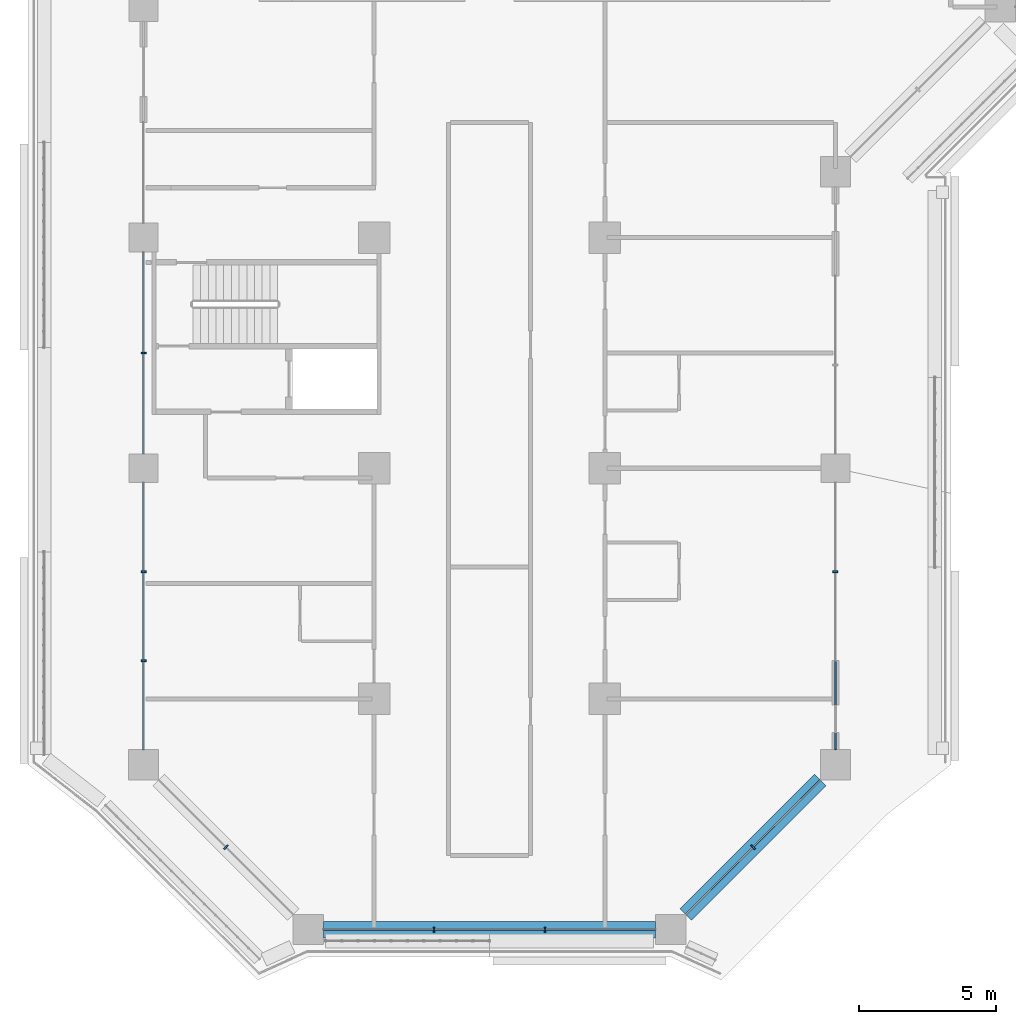
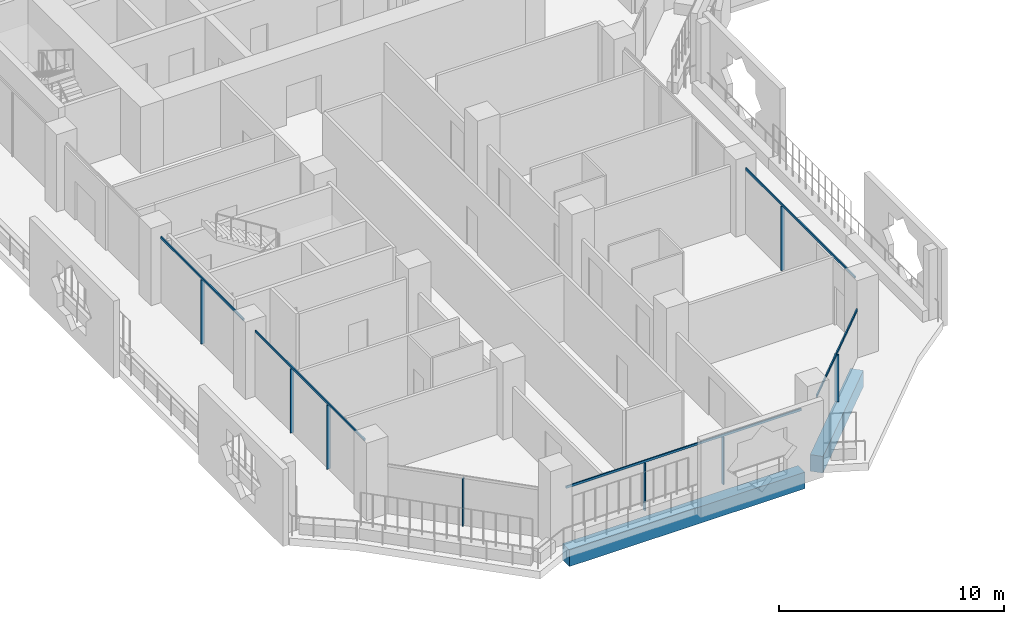
# One storey, part 2 of 26: 13 members, 2 beams, 5 elements without a shape of their own.
"""IFC4 building model written with IfcOpenShell, lengths in metres."""

from ifc_helpers import new_model, si_unit, direction, frame, origin, origin_2d, place, context, subcontext, project, spatial, rectangle, extrude, material, layer, layer_set, material_profile, profile_set, type_object, element, aggregate, save


model = new_model("IFC4")

# Units and contexts
model_context = context("Model", 3, precision=1e-05, world=origin(), true_north=direction((0.0, 1.0)))
body_context = subcontext(model_context, "Body", "Model", "MODEL_VIEW")
ifc_project = project(units=[si_unit("LENGTHUNIT", "METRE"), si_unit("AREAUNIT", "SQUARE_METRE"), si_unit("VOLUMEUNIT", "CUBIC_METRE"), si_unit("PLANEANGLEUNIT", "RADIAN"), si_unit("MASSUNIT", "GRAM", prefix="KILO")], contexts=[model_context])

# Site, building, storey
site_placement = place(None, origin())
site = spatial("IfcSite", under=ifc_project, at=site_placement, CompositionType="ELEMENT")
building_placement = place(site_placement, origin())
building = spatial("IfcBuilding", under=site, at=building_placement, Name="Kawkab Arch Medical Tower", CompositionType="ELEMENT")
storey_placement = place(building_placement, frame((0.0, 0.0, 119.800048828125)))
storey = spatial("IfcBuildingStorey", under=building, at=storey_placement, Name="L27", CompositionType="ELEMENT", Elevation=119.800048828125)

# Curtain wall, members
ifc_material_1 = material(Name="Bronze anodised aluminium curtain wall frame", Category="aluminium")
ifc_layer_1 = layer(ifc_material_1, 0.159912109375)
ifc_layer_set_1 = layer_set([ifc_layer_1], Name="Bronze anodised aluminium curtain wall frame")
curtain_wall_type_1 = type_object("IfcCurtainWallType", Name="CW1 ward curtain wall", PredefinedType="NOTDEFINED", material=ifc_layer_set_1)
placement = place(storey_placement, origin())
curtain_wall_1 = element("IfcCurtainWall", 1, at=placement, inside=storey, type_object=curtain_wall_type_1, Name="CW1 Ward curtain wall R01", PredefinedType="NOTDEFINED")
ifc_material_2 = material(Name="Bronze anodised aluminium curtain wall frame", Category="aluminium")
ifc_material_profile_1 = material_profile(ifc_material_2, rectangle(XDim=0.179931640625, YDim=0.06005859375, at=origin_2d()), Name="AL 60x180")
ifc_profile_set_1 = profile_set([ifc_material_profile_1], Name="Bronze anodised aluminium curtain wall frame")
member_type_1 = type_object("IfcMemberType", Name="CW1 mullion 60 x 180", PredefinedType="MULLION", material=ifc_profile_set_1)
member_1_placement = place(storey_placement, frame((0.0, -37.800048828125, 0.0), z_axis=(0.0, 0.0, 1.0), x_axis=(1.0, 0.0, 0.0)))
member_1 = element("IfcMember", 2, at=member_1_placement, type_object=member_type_1, Name="CW1 mullion 5.1", PredefinedType="MULLION", context=body_context, shape_type="SweptSolid", body=[
    extrude(rectangle(XDim=0.179931640625, YDim=0.06005859375, at=origin_2d()), origin(), (0.0, 0.0, 1.0), 3.47998046875),
])
member_2_placement = place(storey_placement, frame((0.0, -45.7666015625, 0.0), z_axis=(0.0, 0.0, 1.0), x_axis=(1.0, 0.0, 0.0)))
member_2 = element("IfcMember", 3, at=member_2_placement, type_object=member_type_1, Name="CW1 mullion 6.1", PredefinedType="MULLION", context=body_context, shape_type="SweptSolid", body=[
    extrude(rectangle(XDim=0.179931640625, YDim=0.06005859375, at=origin_2d()), origin(), (0.0, 0.0, 1.0), 3.47998046875),
])
member_3_placement = place(storey_placement, frame((0.0, -49.00830078125, 0.0), z_axis=(0.0, 0.0, 1.0), x_axis=(1.0, 0.0, 0.0)))
member_3 = element("IfcMember", 4, at=member_3_placement, type_object=member_type_1, Name="CW1 mullion 6.2", PredefinedType="MULLION", context=body_context, shape_type="SweptSolid", body=[
    extrude(rectangle(XDim=0.179931640625, YDim=0.06005859375, at=origin_2d()), origin(), (0.0, 0.0, 1.0), 3.47998046875),
])

curtain_wall_2 = element("IfcCurtainWall", 5, at=placement, inside=storey, type_object=curtain_wall_type_1, Name="CW1 Ward curtain wall R03", PredefinedType="NOTDEFINED")
member_4_placement = place(storey_placement, frame((10.583251953125, -58.800048828125, 0.0), z_axis=(0.0, 0.0, 1.0), x_axis=(0.0, 1.0, 0.0)))
member_4 = element("IfcMember", 6, at=member_4_placement, type_object=member_type_1, Name="CW1 mullion 1.1", PredefinedType="MULLION", context=body_context, shape_type="SweptSolid", body=[
    extrude(rectangle(XDim=0.179931640625, YDim=0.06005859375, at=origin_2d()), origin(), (0.0, 0.0, 1.0), 2.579833984375),
])
member_5_placement = place(storey_placement, frame((14.61669921875, -58.800048828125, 0.0), z_axis=(0.0, 0.0, 1.0), x_axis=(0.0, 1.0, 0.0)))
member_5 = element("IfcMember", 7, at=member_5_placement, type_object=member_type_1, Name="CW1 mullion 1.2", PredefinedType="MULLION", context=body_context, shape_type="SweptSolid", body=[
    extrude(rectangle(XDim=0.179931640625, YDim=0.06005859375, at=origin_2d()), origin(), (0.0, 0.0, 1.0), 2.579833984375),
])

# Curtain wall, member
curtain_wall_3 = element("IfcCurtainWall", 8, at=placement, inside=storey, type_object=curtain_wall_type_1, Name="CW1 Ward curtain wall R05", PredefinedType="NOTDEFINED")
member_6_placement = place(storey_placement, frame((25.199951171875, -45.7666015625, 0.0), z_axis=(0.0, 0.0, 1.0), x_axis=(-1.0, 0.0, 0.0)))
member_6 = element("IfcMember", 9, at=member_6_placement, type_object=member_type_1, Name="CW1 mullion 1.2", PredefinedType="MULLION", context=body_context, shape_type="SweptSolid", body=[
    extrude(rectangle(XDim=0.179931640625, YDim=0.06005859375, at=origin_2d()), origin(), (0.0, 0.0, 1.0), 3.47998046875),
])

# Member
ifc_material_3 = material(Name="Bronze anodised aluminium curtain wall frame", Category="aluminium")
ifc_material_profile_2 = material_profile(ifc_material_3, rectangle(XDim=0.06005859375, YDim=0.1201171875, at=origin_2d()), Name="AL 60x120")
ifc_profile_set_2 = profile_set([ifc_material_profile_2], Name="Bronze anodised aluminium curtain wall frame")
member_type_2 = type_object("IfcMemberType", Name="CW1 transom 120 x 60", PredefinedType="USERDEFINED", material=ifc_profile_set_2)
member_7_placement = place(storey_placement, frame((0.0, -34.125, 3.5400390625), z_axis=(0.0, -1.0, 0.0), x_axis=(1.0, 0.0, 0.0)))
member_7 = element("IfcMember", 10, at=member_7_placement, type_object=member_type_2, Name="CW1 transom 5", ObjectType="TRANSOM", PredefinedType="USERDEFINED", context=body_context, shape_type="SweptSolid", body=[
    extrude(rectangle(XDim=0.06005859375, YDim=0.1201171875, at=origin_2d()), origin(), (0.0, 0.0, 1.0), 7.35009765625),
])

member_8_placement = place(storey_placement, frame((0.0, -42.52490234375, 3.5400390625), z_axis=(0.0, -1.0, 0.0), x_axis=(1.0, 0.0, 0.0)))
member_8 = element("IfcMember", 11, at=member_8_placement, type_object=member_type_2, Name="CW1 transom 6", ObjectType="TRANSOM", PredefinedType="USERDEFINED", context=body_context, shape_type="SweptSolid", body=[
    extrude(rectangle(XDim=0.06005859375, YDim=0.1201171875, at=origin_2d()), origin(), (0.0, 0.0, 1.0), 9.72509765625),
])

aggregate(curtain_wall_1, [member_7, member_1, member_8, member_2, member_3])

member_9_placement = place(storey_placement, frame((6.550048828125, -58.800048828125, 2.639892578125), z_axis=(1.0, 0.0, 0.0), x_axis=(0.0, 1.0, 0.0)))
member_9 = element("IfcMember", 12, at=member_9_placement, type_object=member_type_2, Name="CW1 transom 1", ObjectType="TRANSOM", PredefinedType="USERDEFINED", context=body_context, shape_type="SweptSolid", body=[
    extrude(rectangle(XDim=0.06005859375, YDim=0.1201171875, at=origin_2d()), origin(), (0.0, 0.0, 1.0), 12.099853515625),
])

aggregate(curtain_wall_2, [member_9, member_4, member_5])

member_10_placement = place(storey_placement, frame((25.199951171875, -52.25, 3.5400390625), z_axis=(0.0, 1.0, 0.0), x_axis=(-1.0, 0.0, 0.0)))
member_10 = element("IfcMember", 13, at=member_10_placement, type_object=member_type_2, Name="CW1 transom 1", ObjectType="TRANSOM", PredefinedType="USERDEFINED", context=body_context, shape_type="SweptSolid", body=[
    extrude(rectangle(XDim=0.06005859375, YDim=0.1201171875, at=origin_2d()), origin(), (0.0, 0.0, 1.0), 9.72509765625),
])

aggregate(curtain_wall_3, [member_10, member_6])

# Curtain wall, member
ifc_material_4 = material(Name="Bronze anodised aluminium curtain wall frame", Category="aluminium")
ifc_layer_2 = layer(ifc_material_4, 0.159912109375)
ifc_layer_set_2 = layer_set([ifc_layer_2], Name="Bronze anodised aluminium curtain wall frame")
curtain_wall_type_2 = type_object("IfcCurtainWallType", Name="CW2 chamfer curtain wall", PredefinedType="NOTDEFINED", material=ifc_layer_set_2)
curtain_wall_4 = element("IfcCurtainWall", 14, at=placement, inside=storey, type_object=curtain_wall_type_2, Name="CW2 Chamfer curtain wall R02", PredefinedType="NOTDEFINED")
ifc_material_5 = material(Name="Bronze anodised aluminium curtain wall frame", Category="aluminium")
ifc_material_profile_3 = material_profile(ifc_material_5, rectangle(XDim=0.199951171875, YDim=0.06005859375, at=origin_2d()), Name="AL 60x200")
ifc_profile_set_3 = profile_set([ifc_material_profile_3], Name="Bronze anodised aluminium curtain wall frame")
member_type_3 = type_object("IfcMemberType", Name="CW2 mullion 60 x 200", PredefinedType="MULLION", material=ifc_profile_set_3)
member_11_placement = place(storey_placement, frame((3.0, -55.800048828125, 0.0), z_axis=(0.0, 0.0, 1.0), x_axis=(0.707106781187, 0.707106781187, 0.0)))
member_11 = element("IfcMember", 15, at=member_11_placement, type_object=member_type_3, Name="CW2 mullion 1.1", PredefinedType="MULLION", context=body_context, shape_type="SweptSolid", body=[
    extrude(rectangle(XDim=0.199951171875, YDim=0.06005859375, at=origin_2d()), origin(), (0.0, 0.0, 1.0), 2.56005859375),
])
aggregate(curtain_wall_4, [member_11])

# Curtain wall, members
curtain_wall_5 = element("IfcCurtainWall", 16, at=placement, inside=storey, type_object=curtain_wall_type_2, Name="CW2 Chamfer curtain wall R04", PredefinedType="NOTDEFINED")
member_12_placement = place(storey_placement, frame((22.199951171875, -55.800048828125, 0.0), z_axis=(0.0, 0.0, 1.0), x_axis=(-0.707106781187, 0.707106781187, 0.0)))
member_12 = element("IfcMember", 17, at=member_12_placement, type_object=member_type_3, Name="CW2 mullion 1.1", PredefinedType="MULLION", context=body_context, shape_type="SweptSolid", body=[
    extrude(rectangle(XDim=0.199951171875, YDim=0.06005859375, at=origin_2d()), origin(), (0.0, 0.0, 1.0), 2.56005859375),
])
ifc_material_6 = material(Name="Bronze anodised aluminium curtain wall frame", Category="aluminium")
ifc_material_profile_4 = material_profile(ifc_material_6, rectangle(XDim=0.06005859375, YDim=0.139892578125, at=origin_2d()), Name="AL 60x140")
ifc_profile_set_4 = profile_set([ifc_material_profile_4], Name="Bronze anodised aluminium curtain wall frame")
member_type_4 = type_object("IfcMemberType", Name="CW2 transom 140 x 60", PredefinedType="USERDEFINED", material=ifc_profile_set_4)
member_13_placement = place(storey_placement, frame((19.75, -58.25, 2.6298828125), z_axis=(0.707106781187, 0.707106781187, 0.0), x_axis=(-0.707106781187, 0.707106781187, 0.0)))
member_13 = element("IfcMember", 18, at=member_13_placement, type_object=member_type_4, Name="CW2 transom 1", ObjectType="TRANSOM", PredefinedType="USERDEFINED", context=body_context, shape_type="SweptSolid", body=[
    extrude(rectangle(XDim=0.06005859375, YDim=0.139892578125, at=origin_2d()), origin(), (0.0, 0.0, 1.0), 6.929443359375),
])
aggregate(curtain_wall_5, [member_13, member_12])

# Beams
ifc_material_7 = material(Name="Concrete C55/67", Category="concrete")
ifc_material_profile_5 = material_profile(ifc_material_7, rectangle(XDim=0.60009765625, YDim=0.89990234375, at=origin_2d()), Name="RC 600x900")
ifc_profile_set_5 = profile_set([ifc_material_profile_5], Name="Concrete C55/67")
beam_type = type_object("IfcBeamType", Name="RC 600x900 beam C55/67", PredefinedType="BEAM", material=ifc_profile_set_5)
beam_1_placement = place(storey_placement, frame((24.64990234375, -53.35009765625, -1.050048828125), z_axis=(-0.707106781187, -0.707106781187, 0.0), x_axis=(0.707106781187, -0.707106781187, 0.0)))
element("IfcBeam", 19, at=beam_1_placement, inside=storey, type_object=beam_type, Name="Overhang edge beam L27-07", PredefinedType="BEAM", context=body_context, shape_type="SweptSolid", body=[
    extrude(rectangle(XDim=0.60009765625, YDim=0.89990234375, at=origin_2d()), origin(), (0.0, 0.0, 1.0), 6.929443359375),
])
beam_2_placement = place(storey_placement, frame((18.64990234375, -58.800048828125, -1.050048828125), z_axis=(-1.0, 0.0, 0.0), x_axis=(0.0, -1.0, 0.0)))
element("IfcBeam", 20, at=beam_2_placement, inside=storey, type_object=beam_type, Name="Overhang edge beam L27-08", PredefinedType="BEAM", context=body_context, shape_type="SweptSolid", body=[
    extrude(rectangle(XDim=0.60009765625, YDim=0.89990234375, at=origin_2d()), origin(), (0.0, 0.0, 1.0), 12.099853515625),
])

save(model, "model.ifc")
